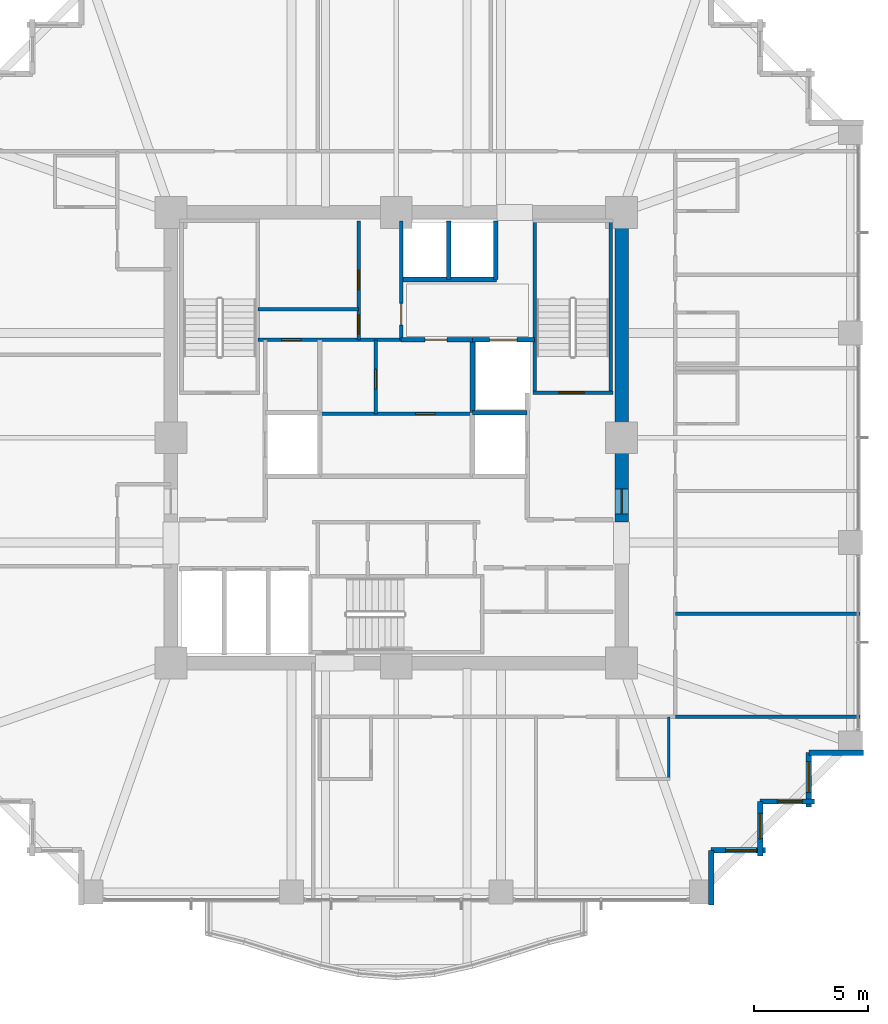
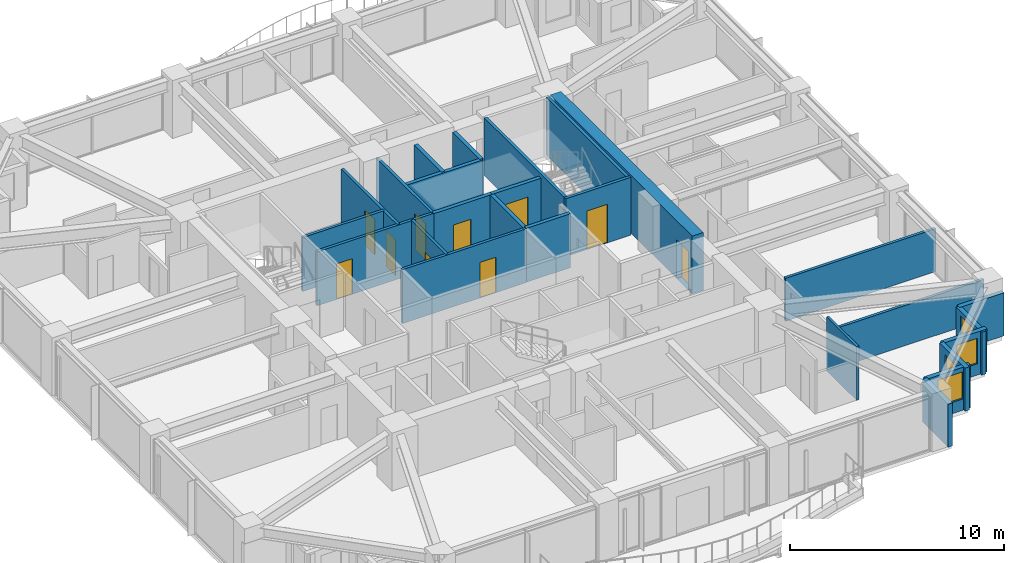
# One storey, part 34 of 38: 26 walls, 10 doors, 4 windows, 14 openings.
"""IFC4 building model written with IfcOpenShell, lengths in metres."""

from ifc_helpers import new_model, si_unit, direction, frame, frame_2d, origin, place, context, subcontext, project, spatial, rectangle, extrude, material, layer, layer_set, type_object, element, fill, save


model = new_model("IFC4")

# Units and contexts
model_context = context("Model", 3, precision=1e-05, world=origin(), true_north=direction((0.0, 1.0)))
body_context = subcontext(model_context, "Body", "Model", "MODEL_VIEW")
ifc_project = project(units=[si_unit("LENGTHUNIT", "METRE"), si_unit("AREAUNIT", "SQUARE_METRE"), si_unit("VOLUMEUNIT", "CUBIC_METRE"), si_unit("PLANEANGLEUNIT", "RADIAN"), si_unit("MASSUNIT", "GRAM", prefix="KILO")], contexts=[model_context])

# Site, building, storey
site_placement = place(None, origin())
site = spatial("IfcSite", under=ifc_project, at=site_placement, CompositionType="ELEMENT")
building_placement = place(site_placement, origin())
building = spatial("IfcBuilding", under=site, at=building_placement, Name="Kolvaren Belvedere", CompositionType="ELEMENT")
storey_placement = place(building_placement, frame((0.0, 0.0, 98.60009765625)))
storey = spatial("IfcBuildingStorey", under=building, at=storey_placement, Name="L28", CompositionType="ELEMENT", Elevation=98.60009765625)

# Wall, opening, door
ifc_material_1 = material(Name="Concrete C60/75", Category="concrete")
ifc_layer_1 = layer(ifc_material_1, 0.60009765625)
ifc_layer_set_1 = layer_set([ifc_layer_1], Name="Concrete C60/75")
wall_type_1 = type_object("IfcWallType", Name="CW-CORE-600", PredefinedType="SHEAR", material=ifc_layer_set_1)
wall_1_placement = place(storey_placement, frame((9.89990234375, -3.699951171875, 0.0), z_axis=(0.0, 0.0, 1.0), x_axis=(0.0, 1.0, 0.0)))
wall_1 = element("IfcWall", 1, at=wall_1_placement, inside=storey, type_object=wall_type_1, Name="L28 East Core Shear Wall 2", PredefinedType="SHEAR", context=body_context, shape_type="SweptSolid", body=[
    extrude(rectangle(XDim=13.300048828125, YDim=0.60009765625, at=frame_2d((6.64990234375, 0.0))), origin(), (0.0, 0.0, 1.0), 3.2998046875),
])
opening_1_placement = place(wall_1_placement, frame((0.35009765625, 0.0, 0.0)))
opening_1 = element("IfcOpeningElement", 2, at=opening_1_placement, cuts=wall_1, Name="Opening D-FD90", PredefinedType="OPENING", context=body_context, shape_type="SweptSolid", body=[
    extrude(rectangle(XDim=1.10009765625, YDim=2.199951171875, at=frame_2d((0.550048828125, 1.10009765625))), frame((0.0, 0.31005859375, 0.0), z_axis=(0.0, -1.0, 0.0), x_axis=(1.0, 0.0, 0.0)), (0.0, 0.0, 1.0), 0.6201171875),
])
ifc_material_2 = material(Name="Painted hollow stainless steel", Category="steel")
door_type_1 = type_object("IfcDoorType", Name="DR-FD90-1100", OperationType="NOTDEFINED", PredefinedType="DOOR", material=ifc_material_2)
door_1_placement = place(opening_1_placement, origin())
door_1 = element("IfcDoor", 3, at=door_1_placement, inside=storey, type_object=door_type_1, Name="L28 East Firefighting Lobby Fire Door", OperationType="SINGLE_SWING_RIGHT", OverallHeight=2.199951171875, OverallWidth=1.10009765625, PredefinedType="DOOR", context=body_context, shape_type="SweptSolid", body=[
    extrude(rectangle(XDim=1.10009765625, YDim=2.199951171875, at=frame_2d((0.550048828125, 1.10009765625))), frame((0.0, 0.02490234375, 0.0), z_axis=(0.0, -1.0, 0.0), x_axis=(1.0, 0.0, 0.0)), (0.0, 0.0, 1.0), 0.050048828125),
])
fill(opening_1, door_1)

ifc_material_3 = material(Name="Concrete C50/60", Category="concrete")
ifc_layer_2 = layer(ifc_material_3, 0.159912109375)
ifc_layer_set_2 = layer_set([ifc_layer_2], Name="Concrete C50/60")
wall_type_2 = type_object("IfcWallType", Name="CW-STAIR-160", PredefinedType="SHEAR", material=ifc_layer_set_2)
wall_2_placement = place(storey_placement, frame((6.0, 1.969970703125, 0.0), z_axis=(0.0, 0.0, 1.0), x_axis=(1.0, 0.0, 0.0)))
wall_2 = element("IfcWall", 4, at=wall_2_placement, inside=storey, type_object=wall_type_2, Name="L28 Stair ST-2 South Shear Wall", PredefinedType="SHEAR", context=body_context, shape_type="SweptSolid", body=[
    extrude(rectangle(XDim=3.52001953125, YDim=0.159912109375, at=frame_2d((1.760009765625, 0.0))), origin(), (0.0, 0.0, 1.0), 3.2998046875),
])
opening_2_placement = place(wall_2_placement, frame((1.14990234375, 0.0, 0.0)))
opening_2 = element("IfcOpeningElement", 5, at=opening_2_placement, cuts=wall_2, Name="Opening D-FD90", PredefinedType="OPENING", context=body_context, shape_type="SweptSolid", body=[
    extrude(rectangle(XDim=1.10009765625, YDim=2.199951171875, at=frame_2d((0.550048828125, 1.10009765625))), frame((0.0, 0.08984375, 0.0), z_axis=(0.0, -1.0, 0.0), x_axis=(1.0, 0.0, 0.0)), (0.0, 0.0, 1.0), 0.179931640625),
])
door_2_placement = place(opening_2_placement, origin())
door_2 = element("IfcDoor", 6, at=door_2_placement, inside=storey, type_object=door_type_1, Name="L28 Stair ST-2 Fire Door", OperationType="SINGLE_SWING_RIGHT", OverallHeight=2.199951171875, OverallWidth=1.10009765625, PredefinedType="DOOR", context=body_context, shape_type="SweptSolid", body=[
    extrude(rectangle(XDim=1.10009765625, YDim=2.199951171875, at=frame_2d((0.550048828125, 1.10009765625))), frame((0.0, 0.02490234375, 0.0), z_axis=(0.0, -1.0, 0.0), x_axis=(1.0, 0.0, 0.0)), (0.0, 0.0, 1.0), 0.050048828125),
])
fill(opening_2, door_2)

# Walls
for number, where, z_axis, x_axis, name in (
    (7, (6.080078125, 1.969970703125, 0.0), (0.0, 0.0, 1.0), (0.0, 1.0, 0.0), "L28 Stair ST-2 West Shear Wall"),
    (8, (9.429931640625, 1.969970703125, 0.0), (0.0, 0.0, 1.0), (0.0, 1.0, 0.0), "L28 Stair ST-2 East Shear Wall"),
):
    element("IfcWall", number, at=place(storey_placement, frame(where, z_axis=z_axis, x_axis=x_axis)), inside=storey, type_object=wall_type_2, Name=name, PredefinedType="SHEAR", context=body_context, shape_type="SweptSolid", body=[
        extrude(rectangle(XDim=7.56005859375, YDim=0.159912109375, at=frame_2d((3.780029296875, 0.0))), origin(), (0.0, 0.0, 1.0), 3.2998046875),
    ])
ifc_material_4 = material(Name="Insulated pale-metal facade wall assembly", Category="aluminium")
ifc_layer_3 = layer(ifc_material_4, 0.239990234375)
ifc_layer_set_3 = layer_set([ifc_layer_3], Name="Insulated pale-metal facade wall assembly")
wall_type_3 = type_object("IfcWallType", Name="WL-EXT-240", PredefinedType="STANDARD", material=ifc_layer_set_3)
wall_3_placement = place(storey_placement, frame((13.830078125, -18.1298828125, 0.0), z_axis=(0.0, 0.0, 1.0), x_axis=(0.0, -1.0, 0.0)))
element("IfcWall", 9, at=wall_3_placement, inside=storey, type_object=wall_type_3, Name="L28 Serrated Corner Facade Wall 2", PredefinedType="STANDARD", context=body_context, shape_type="SweptSolid", body=[
    extrude(rectangle(XDim=2.39013671875, YDim=0.239990234375, at=frame_2d((1.195068359375, 0.0))), origin(), (0.0, 0.0, 1.0), 2.458984375),
])

# Wall, opening, window
wall_4_placement = place(storey_placement, frame((16.219970703125, -18.1298828125, 0.0), z_axis=(0.0, 0.0, 1.0), x_axis=(-1.0, 0.0, 0.0)))
wall_4 = element("IfcWall", 10, at=wall_4_placement, inside=storey, type_object=wall_type_3, Name="L28 Serrated Corner Facade Wall 3", PredefinedType="STANDARD", context=body_context, shape_type="SweptSolid", body=[
    extrude(rectangle(XDim=2.389892578125, YDim=0.239990234375, at=frame_2d((1.19482421875, 0.0))), origin(), (0.0, 0.0, 1.0), 2.458984375),
])
opening_3_placement = place(wall_4_placement, frame((0.39990234375, 0.0, 0.64990234375)))
opening_3 = element("IfcOpeningElement", 11, at=opening_3_placement, cuts=wall_4, Name="Opening W-1350", PredefinedType="OPENING", context=body_context, shape_type="SweptSolid", body=[
    extrude(rectangle(XDim=1.35009765625, YDim=1.550048828125, at=frame_2d((0.675048828125, 0.77490234375))), frame((0.0, 0.1298828125, 0.0), z_axis=(0.0, -1.0, 0.0), x_axis=(1.0, 0.0, 0.0)), (0.0, 0.0, 1.0), 0.260009765625),
])
ifc_material_5 = material(Name="Low-iron triple insulated glass", Category="glass")
window_type_1 = type_object("IfcWindowType", Name="WN-CORN-1350", PartitioningType="SINGLE_PANEL", PredefinedType="WINDOW", material=ifc_material_5)
window_1_placement = place(opening_3_placement, origin())
window_1 = element("IfcWindow", 12, at=window_1_placement, inside=storey, type_object=window_type_1, Name="L28 Serrated Corner Vision Window 3", OverallHeight=1.550048828125, OverallWidth=1.35009765625, PartitioningType="SINGLE_PANEL", PredefinedType="WINDOW", context=body_context, shape_type="SweptSolid", body=[
    extrude(rectangle(XDim=1.35009765625, YDim=1.550048828125, at=frame_2d((0.675048828125, 0.77490234375))), frame((0.0, 0.030029296875, 0.0), z_axis=(0.0, -1.0, 0.0), x_axis=(1.0, 0.0, 0.0)), (0.0, 0.0, 1.0), 0.06005859375),
])
fill(opening_3, window_1)

wall_5_placement = place(storey_placement, frame((15.97998046875, -15.97998046875, 0.0), z_axis=(0.0, 0.0, 1.0), x_axis=(0.0, -1.0, 0.0)))
wall_5 = element("IfcWall", 13, at=wall_5_placement, inside=storey, type_object=wall_type_3, Name="L28 Serrated Corner Facade Wall 4", PredefinedType="STANDARD", context=body_context, shape_type="SweptSolid", body=[
    extrude(rectangle(XDim=2.39013671875, YDim=0.239990234375, at=frame_2d((1.195068359375, 0.0))), origin(), (0.0, 0.0, 1.0), 2.458984375),
])
opening_4_placement = place(wall_5_placement, frame((0.52490234375, 0.0, 0.64990234375)))
opening_4 = element("IfcOpeningElement", 14, at=opening_4_placement, cuts=wall_5, Name="Opening W-1100", PredefinedType="OPENING", context=body_context, shape_type="SweptSolid", body=[
    extrude(rectangle(XDim=1.10009765625, YDim=1.449951171875, at=frame_2d((0.550048828125, 0.72509765625))), frame((0.0, 0.1298828125, 0.0), z_axis=(0.0, -1.0, 0.0), x_axis=(1.0, 0.0, 0.0)), (0.0, 0.0, 1.0), 0.260009765625),
])
ifc_material_6 = material(Name="Low-iron triple insulated glass", Category="glass")
window_type_2 = type_object("IfcWindowType", Name="WN-CORN-1100", PartitioningType="SINGLE_PANEL", PredefinedType="WINDOW", material=ifc_material_6)
window_2_placement = place(opening_4_placement, origin())
window_2 = element("IfcWindow", 15, at=window_2_placement, inside=storey, type_object=window_type_2, Name="L28 Serrated Corner Vision Window 4", OverallHeight=1.449951171875, OverallWidth=1.10009765625, PartitioningType="SINGLE_PANEL", PredefinedType="WINDOW", context=body_context, shape_type="SweptSolid", body=[
    extrude(rectangle(XDim=1.10009765625, YDim=1.449951171875, at=frame_2d((0.550048828125, 0.72509765625))), frame((0.0, 0.030029296875, 0.0), z_axis=(0.0, -1.0, 0.0), x_axis=(1.0, 0.0, 0.0)), (0.0, 0.0, 1.0), 0.06005859375),
])
fill(opening_4, window_2)

wall_6_placement = place(storey_placement, frame((18.3701171875, -15.97998046875, 0.0), z_axis=(0.0, 0.0, 1.0), x_axis=(-1.0, 0.0, 0.0)))
wall_6 = element("IfcWall", 16, at=wall_6_placement, inside=storey, type_object=wall_type_3, Name="L28 Serrated Corner Facade Wall 5", PredefinedType="STANDARD", context=body_context, shape_type="SweptSolid", body=[
    extrude(rectangle(XDim=2.39013671875, YDim=0.239990234375, at=frame_2d((1.195068359375, 0.0))), origin(), (0.0, 0.0, 1.0), 2.458984375),
])
opening_5_placement = place(wall_6_placement, frame((0.52490234375, 0.0, 0.64990234375)))
opening_5 = element("IfcOpeningElement", 17, at=opening_5_placement, cuts=wall_6, Name="Opening W-1100", PredefinedType="OPENING", context=body_context, shape_type="SweptSolid", body=[
    extrude(rectangle(XDim=1.10009765625, YDim=1.449951171875, at=frame_2d((0.550048828125, 0.72509765625))), frame((0.0, 0.1298828125, 0.0), z_axis=(0.0, -1.0, 0.0), x_axis=(1.0, 0.0, 0.0)), (0.0, 0.0, 1.0), 0.260009765625),
])
window_3_placement = place(opening_5_placement, origin())
window_3 = element("IfcWindow", 18, at=window_3_placement, inside=storey, type_object=window_type_2, Name="L28 Serrated Corner Vision Window 5", OverallHeight=1.449951171875, OverallWidth=1.10009765625, PartitioningType="SINGLE_PANEL", PredefinedType="WINDOW", context=body_context, shape_type="SweptSolid", body=[
    extrude(rectangle(XDim=1.10009765625, YDim=1.449951171875, at=frame_2d((0.550048828125, 0.72509765625))), frame((0.0, 0.030029296875, 0.0), z_axis=(0.0, -1.0, 0.0), x_axis=(1.0, 0.0, 0.0)), (0.0, 0.0, 1.0), 0.06005859375),
])
fill(opening_5, window_3)

wall_7_placement = place(storey_placement, frame((18.1298828125, -13.830078125, 0.0), z_axis=(0.0, 0.0, 1.0), x_axis=(0.0, -1.0, 0.0)))
wall_7 = element("IfcWall", 19, at=wall_7_placement, inside=storey, type_object=wall_type_3, Name="L28 Serrated Corner Facade Wall 6", PredefinedType="STANDARD", context=body_context, shape_type="SweptSolid", body=[
    extrude(rectangle(XDim=2.389892578125, YDim=0.239990234375, at=frame_2d((1.19482421875, 0.0))), origin(), (0.0, 0.0, 1.0), 2.458984375),
])
opening_6_placement = place(wall_7_placement, frame((0.39990234375, 0.0, 0.64990234375)))
opening_6 = element("IfcOpeningElement", 20, at=opening_6_placement, cuts=wall_7, Name="Opening W-1350", PredefinedType="OPENING", context=body_context, shape_type="SweptSolid", body=[
    extrude(rectangle(XDim=1.35009765625, YDim=1.550048828125, at=frame_2d((0.675048828125, 0.77490234375))), frame((0.0, 0.1298828125, 0.0), z_axis=(0.0, -1.0, 0.0), x_axis=(1.0, 0.0, 0.0)), (0.0, 0.0, 1.0), 0.260009765625),
])
window_4_placement = place(opening_6_placement, origin())
window_4 = element("IfcWindow", 21, at=window_4_placement, inside=storey, type_object=window_type_1, Name="L28 Serrated Corner Vision Window 6", OverallHeight=1.550048828125, OverallWidth=1.35009765625, PartitioningType="SINGLE_PANEL", PredefinedType="WINDOW", context=body_context, shape_type="SweptSolid", body=[
    extrude(rectangle(XDim=1.35009765625, YDim=1.550048828125, at=frame_2d((0.675048828125, 0.77490234375))), frame((0.0, 0.030029296875, 0.0), z_axis=(0.0, -1.0, 0.0), x_axis=(1.0, 0.0, 0.0)), (0.0, 0.0, 1.0), 0.06005859375),
])
fill(opening_6, window_4)

# Wall
wall_8_placement = place(storey_placement, frame((20.52001953125, -13.830078125, 0.0), z_axis=(0.0, 0.0, 1.0), x_axis=(-1.0, 0.0, 0.0)))
element("IfcWall", 22, at=wall_8_placement, inside=storey, type_object=wall_type_3, Name="L28 Serrated Corner Facade Wall 7", PredefinedType="STANDARD", context=body_context, shape_type="SweptSolid", body=[
    extrude(rectangle(XDim=2.39013671875, YDim=0.239990234375, at=frame_2d((1.195068359375, 0.0))), origin(), (0.0, 0.0, 1.0), 2.458984375),
])

# Wall, opening, door
ifc_material_7 = material(Name="Gypsum acoustic partition assembly", Category="gypsum")
ifc_layer_4 = layer(ifc_material_7, 0.14990234375)
ifc_layer_set_4 = layer_set([ifc_layer_4], Name="Gypsum acoustic partition assembly")
wall_type_4 = type_object("IfcWallType", Name="WL-PART-150", PredefinedType="PARTITIONING", material=ifc_layer_set_4)
wall_9_placement = place(storey_placement, frame((-6.080078125, 4.300048828125, 0.0), z_axis=(0.0, 0.0, 1.0), x_axis=(1.0, 0.0, 0.0)))
wall_9 = element("IfcWall", 23, at=wall_9_placement, inside=storey, type_object=wall_type_4, Name="L28 Reclaimed Salon South Wall", PredefinedType="PARTITIONING", context=body_context, shape_type="SweptSolid", body=[
    extrude(rectangle(XDim=6.300048828125, YDim=0.14990234375, at=frame_2d((3.14990234375, 0.0))), origin(), (0.0, 0.0, 1.0), 3.079833984375),
])
opening_7_placement = place(wall_9_placement, frame((1.050048828125, 0.0, 0.0)))
opening_7 = element("IfcOpeningElement", 24, at=opening_7_placement, cuts=wall_9, Name="Opening D-INT85", PredefinedType="OPENING", context=body_context, shape_type="SweptSolid", body=[
    extrude(rectangle(XDim=0.85009765625, YDim=2.030029296875, at=frame_2d((0.425048828125, 1.01513671875))), frame((0.0, 0.0849609375, 0.0), z_axis=(0.0, -1.0, 0.0), x_axis=(1.0, 0.0, 0.0)), (0.0, 0.0, 1.0), 0.169921875),
])
ifc_material_8 = material(Name="Stained Pacific white oak", Category="timber")
door_type_2 = type_object("IfcDoorType", Name="DR-INT-850", OperationType="NOTDEFINED", PredefinedType="DOOR", material=ifc_material_8)
door_3_placement = place(opening_7_placement, origin())
door_3 = element("IfcDoor", 25, at=door_3_placement, inside=storey, type_object=door_type_2, Name="L28 NW Core Store Door", OperationType="SINGLE_SWING_RIGHT", OverallHeight=2.030029296875, OverallWidth=0.85009765625, PredefinedType="DOOR", context=body_context, shape_type="SweptSolid", body=[
    extrude(rectangle(XDim=0.85009765625, YDim=2.030029296875, at=frame_2d((0.425048828125, 1.01513671875))), frame((0.0, 0.02490234375, 0.0), z_axis=(0.0, -1.0, 0.0), x_axis=(1.0, 0.0, 0.0)), (0.0, 0.0, 1.0), 0.050048828125),
])
fill(opening_7, door_3)

wall_10_placement = place(storey_placement, frame((0.219970703125, 4.300048828125, 0.0), z_axis=(0.0, 0.0, 1.0), x_axis=(0.0, 1.0, 0.0)))
wall_10 = element("IfcWall", 26, at=wall_10_placement, inside=storey, type_object=wall_type_4, Name="L28 Reclaimed Salon East Wall", PredefinedType="PARTITIONING", context=body_context, shape_type="SweptSolid", body=[
    extrude(rectangle(XDim=5.219970703125, YDim=0.14990234375, at=frame_2d((2.60986328125, 0.0))), origin(), (0.0, 0.0, 1.0), 3.079833984375),
])
opening_8_placement = place(wall_10_placement, frame((0.64990234375, 0.0, 0.0)))
opening_8 = element("IfcOpeningElement", 27, at=opening_8_placement, cuts=wall_10, Name="Opening D-INT95", PredefinedType="OPENING", context=body_context, shape_type="SweptSolid", body=[
    extrude(rectangle(XDim=0.949951171875, YDim=2.06005859375, at=frame_2d((0.47509765625, 1.030029296875))), frame((0.0, 0.0849609375, 0.0), z_axis=(0.0, -1.0, 0.0), x_axis=(1.0, 0.0, 0.0)), (0.0, 0.0, 1.0), 0.169921875),
])
ifc_material_9 = material(Name="Stained Pacific white oak", Category="timber")
door_type_3 = type_object("IfcDoorType", Name="DR-INT-950", OperationType="NOTDEFINED", PredefinedType="DOOR", material=ifc_material_9)
door_4_placement = place(opening_8_placement, origin())
door_4 = element("IfcDoor", 28, at=door_4_placement, inside=storey, type_object=door_type_3, Name="L28 Wellness Tearoom Door", OperationType="SINGLE_SWING_LEFT", OverallHeight=2.06005859375, OverallWidth=0.949951171875, PredefinedType="DOOR", context=body_context, shape_type="SweptSolid", body=[
    extrude(rectangle(XDim=0.949951171875, YDim=2.06005859375, at=frame_2d((0.47509765625, 1.030029296875))), frame((0.0, 0.02490234375, 0.0), z_axis=(0.0, -1.0, 0.0), x_axis=(1.0, 0.0, 0.0)), (0.0, 0.0, 1.0), 0.050048828125),
])
fill(opening_8, door_4)

# Wall, openings, doors
wall_11_placement = place(storey_placement, frame((-1.64990234375, 4.300048828125, 0.0), z_axis=(0.0, 0.0, 1.0), x_axis=(0.0, 1.0, 0.0)))
wall_11 = element("IfcWall", 29, at=wall_11_placement, inside=storey, type_object=wall_type_4, Name="L28 Reclaimed Tearoom V-Divider", PredefinedType="PARTITIONING", context=body_context, shape_type="SweptSolid", body=[
    extrude(rectangle(XDim=5.219970703125, YDim=0.14990234375, at=frame_2d((2.60986328125, 0.0))), origin(), (0.0, 0.0, 1.0), 3.079833984375),
])
opening_9_placement = place(wall_11_placement, frame((2.199951171875, 0.0, 0.0)))
opening_9 = element("IfcOpeningElement", 30, at=opening_9_placement, cuts=wall_11, Name="Opening D-INT85", PredefinedType="OPENING", context=body_context, shape_type="SweptSolid", body=[
    extrude(rectangle(XDim=0.85009765625, YDim=2.030029296875, at=frame_2d((0.425048828125, 1.01513671875))), frame((0.0, 0.0849609375, 0.0), z_axis=(0.0, -1.0, 0.0), x_axis=(1.0, 0.0, 0.0)), (0.0, 0.0, 1.0), 0.169921875),
])
opening_10_placement = place(wall_11_placement, frame((0.25, 0.0, 0.0)))
opening_10 = element("IfcOpeningElement", 31, at=opening_10_placement, cuts=wall_11, Name="Opening D-INT85", PredefinedType="OPENING", context=body_context, shape_type="SweptSolid", body=[
    extrude(rectangle(XDim=0.85009765625, YDim=2.030029296875, at=frame_2d((0.425048828125, 1.01513671875))), frame((0.0, 0.0849609375, 0.0), z_axis=(0.0, -1.0, 0.0), x_axis=(1.0, 0.0, 0.0)), (0.0, 0.0, 1.0), 0.169921875),
])
door_5_placement = place(opening_9_placement, origin())
door_5 = element("IfcDoor", 32, at=door_5_placement, inside=storey, type_object=door_type_2, Name="L28 Meditation Room Door", OperationType="SINGLE_SWING_RIGHT", OverallHeight=2.030029296875, OverallWidth=0.85009765625, PredefinedType="DOOR", context=body_context, shape_type="SweptSolid", body=[
    extrude(rectangle(XDim=0.85009765625, YDim=2.030029296875, at=frame_2d((0.425048828125, 1.01513671875))), frame((0.0, 0.02490234375, 0.0), z_axis=(0.0, -1.0, 0.0), x_axis=(1.0, 0.0, 0.0)), (0.0, 0.0, 1.0), 0.050048828125),
])
fill(opening_9, door_5)
door_6_placement = place(opening_10_placement, origin())
door_6 = element("IfcDoor", 33, at=door_6_placement, inside=storey, type_object=door_type_2, Name="L28 Herbal Closet Door", OperationType="SINGLE_SWING_RIGHT", OverallHeight=2.030029296875, OverallWidth=0.85009765625, PredefinedType="DOOR", context=body_context, shape_type="SweptSolid", body=[
    extrude(rectangle(XDim=0.85009765625, YDim=2.030029296875, at=frame_2d((0.425048828125, 1.01513671875))), frame((0.0, 0.02490234375, 0.0), z_axis=(0.0, -1.0, 0.0), x_axis=(1.0, 0.0, 0.0)), (0.0, 0.0, 1.0), 0.050048828125),
])
fill(opening_10, door_6)

# Wall
wall_12_placement = place(storey_placement, frame((-6.080078125, 5.64990234375, 0.0), z_axis=(0.0, 0.0, 1.0), x_axis=(1.0, 0.0, 0.0)))
element("IfcWall", 34, at=wall_12_placement, inside=storey, type_object=wall_type_4, Name="L28 Reclaimed Tearoom H-Divider", PredefinedType="PARTITIONING", context=body_context, shape_type="SweptSolid", body=[
    extrude(rectangle(XDim=4.43017578125, YDim=0.14990234375, at=frame_2d((2.215087890625, 0.0))), origin(), (0.0, 0.0, 1.0), 3.079833984375),
])

# Wall, opening, door
wall_13_placement = place(storey_placement, frame((-3.35009765625, 1.050048828125, 0.0), z_axis=(0.0, 0.0, 1.0), x_axis=(1.0, 0.0, 0.0)))
wall_13 = element("IfcWall", 35, at=wall_13_placement, inside=storey, type_object=wall_type_4, Name="L28 Central Core H-Divider", PredefinedType="PARTITIONING", context=body_context, shape_type="SweptSolid", body=[
    extrude(rectangle(XDim=6.7001953125, YDim=0.14990234375, at=frame_2d((3.35009765625, 0.0))), origin(), (0.0, 0.0, 1.0), 3.079833984375),
])
opening_11_placement = place(wall_13_placement, frame((4.199951171875, 0.0, 0.0)))
opening_11 = element("IfcOpeningElement", 36, at=opening_11_placement, cuts=wall_13, Name="Opening D-INT85", PredefinedType="OPENING", context=body_context, shape_type="SweptSolid", body=[
    extrude(rectangle(XDim=0.85009765625, YDim=2.030029296875, at=frame_2d((0.425048828125, 1.01513671875))), frame((0.0, 0.0849609375, 0.0), z_axis=(0.0, -1.0, 0.0), x_axis=(1.0, 0.0, 0.0)), (0.0, 0.0, 1.0), 0.169921875),
])
door_7_placement = place(opening_11_placement, origin())
door_7 = element("IfcDoor", 37, at=door_7_placement, inside=storey, type_object=door_type_2, Name="L28 Central Metering Door", OperationType="SINGLE_SWING_LEFT", OverallHeight=2.030029296875, OverallWidth=0.85009765625, PredefinedType="DOOR", context=body_context, shape_type="SweptSolid", body=[
    extrude(rectangle(XDim=0.85009765625, YDim=2.030029296875, at=frame_2d((0.425048828125, 1.01513671875))), frame((0.0, 0.02490234375, 0.0), z_axis=(0.0, -1.0, 0.0), x_axis=(1.0, 0.0, 0.0)), (0.0, 0.0, 1.0), 0.050048828125),
])
fill(opening_11, door_7)

wall_14_placement = place(storey_placement, frame((-0.89990234375, 1.050048828125, 0.0), z_axis=(0.0, 0.0, 1.0), x_axis=(0.0, 1.0, 0.0)))
wall_14 = element("IfcWall", 38, at=wall_14_placement, inside=storey, type_object=wall_type_4, Name="L28 Central Core V-Divider", PredefinedType="PARTITIONING", context=body_context, shape_type="SweptSolid", body=[
    extrude(rectangle(XDim=3.25, YDim=0.14990234375, at=frame_2d((1.625, 0.0))), origin(), (0.0, 0.0, 1.0), 3.079833984375),
])
opening_12_placement = place(wall_14_placement, frame((1.10009765625, 0.0, 0.0)))
opening_12 = element("IfcOpeningElement", 39, at=opening_12_placement, cuts=wall_14, Name="Opening D-INT85", PredefinedType="OPENING", context=body_context, shape_type="SweptSolid", body=[
    extrude(rectangle(XDim=0.85009765625, YDim=2.030029296875, at=frame_2d((0.425048828125, 1.01513671875))), frame((0.0, 0.0849609375, 0.0), z_axis=(0.0, -1.0, 0.0), x_axis=(1.0, 0.0, 0.0)), (0.0, 0.0, 1.0), 0.169921875),
])
door_8_placement = place(opening_12_placement, origin())
door_8 = element("IfcDoor", 40, at=door_8_placement, inside=storey, type_object=door_type_2, Name="L28 Central Telecom Door", OperationType="SINGLE_SWING_RIGHT", OverallHeight=2.030029296875, OverallWidth=0.85009765625, PredefinedType="DOOR", context=body_context, shape_type="SweptSolid", body=[
    extrude(rectangle(XDim=0.85009765625, YDim=2.030029296875, at=frame_2d((0.425048828125, 1.01513671875))), frame((0.0, 0.02490234375, 0.0), z_axis=(0.0, -1.0, 0.0), x_axis=(1.0, 0.0, 0.0)), (0.0, 0.0, 1.0), 0.050048828125),
])
fill(opening_12, door_8)

# Walls
wall_15_placement = place(storey_placement, frame((12.260009765625, -12.260009765625, 0.0), z_axis=(0.0, 0.0, 1.0), x_axis=(1.0, 0.0, 0.0)))
element("IfcWall", 41, at=wall_15_placement, inside=storey, type_object=wall_type_4, Name="L28 Wing Divider PW-L28-QSE", PredefinedType="PARTITIONING", context=body_context, shape_type="SweptSolid", body=[
    extrude(rectangle(XDim=8.119873046875, YDim=0.14990234375, at=frame_2d((4.06005859375, 0.0))), origin(), (0.0, 0.0, 1.0), 2.2919921875),
])
wall_16_placement = place(storey_placement, frame((12.260009765625, -7.739990234375, 0.0), z_axis=(0.0, 0.0, 1.0), x_axis=(1.0, 0.0, 0.0)))
element("IfcWall", 42, at=wall_16_placement, inside=storey, type_object=wall_type_4, Name="L28 East Suite Demising Wall 1", PredefinedType="PARTITIONING", context=body_context, shape_type="SweptSolid", body=[
    extrude(rectangle(XDim=8.119873046875, YDim=0.14990234375, at=frame_2d((4.06005859375, 0.0))), origin(), (0.0, 0.0, 1.0), 2.448974609375),
])
ifc_material_10 = material(Name="Concrete C50/60", Category="concrete")
ifc_layer_5 = layer(ifc_material_10, 0.199951171875)
ifc_layer_set_5 = layer_set([ifc_layer_5], Name="Concrete C50/60")
wall_type_5 = type_object("IfcWallType", Name="WL-SHAFT-200", PredefinedType="SOLIDWALL", material=ifc_layer_set_5)
wall_17_placement = place(storey_placement, frame((3.35009765625, 1.10009765625, 0.0), z_axis=(0.0, 0.0, 1.0), x_axis=(1.0, 0.0, 0.0)))
element("IfcWall", 43, at=wall_17_placement, inside=storey, type_object=wall_type_5, Name="L28 FSAE FS2 North Wall", PredefinedType="SOLIDWALL", context=body_context, shape_type="SweptSolid", body=[
    extrude(rectangle(XDim=2.39990234375, YDim=0.199951171875, at=frame_2d((1.199951171875, 0.0))), origin(), (0.0, 0.0, 1.0), 3.079833984375),
])

# Wall, opening, door
wall_18_placement = place(storey_placement, frame((3.35009765625, 4.300048828125, 0.0), z_axis=(0.0, 0.0, 1.0), x_axis=(1.0, 0.0, 0.0)))
wall_18 = element("IfcWall", 44, at=wall_18_placement, inside=storey, type_object=wall_type_5, Name="L28 Service Lift SV1 Front Wall", PredefinedType="SOLIDWALL", context=body_context, shape_type="SweptSolid", body=[
    extrude(rectangle(XDim=2.72998046875, YDim=0.199951171875, at=frame_2d((1.364990234375, 0.0))), origin(), (0.0, 0.0, 1.0), 3.079833984375),
])
opening_13_placement = place(wall_18_placement, frame((0.75, 0.0, 0.0)))
opening_13 = element("IfcOpeningElement", 45, at=opening_13_placement, cuts=wall_18, Name="Opening LD-12", PredefinedType="OPENING", context=body_context, shape_type="SweptSolid", body=[
    extrude(rectangle(XDim=1.199951171875, YDim=2.25, at=frame_2d((0.60009765625, 1.125))), frame((0.0, 0.10986328125, 0.0), z_axis=(0.0, -1.0, 0.0), x_axis=(1.0, 0.0, 0.0)), (0.0, 0.0, 1.0), 0.219970703125),
])
ifc_material_11 = material(Name="Brushed stainless steel", Category="steel")
door_type_4 = type_object("IfcDoorType", Name="DR-LIFT-1200", OperationType="DOUBLE_DOOR_SLIDING", PredefinedType="DOOR", material=ifc_material_11)
door_9_placement = place(opening_13_placement, origin())
door_9 = element("IfcDoor", 46, at=door_9_placement, inside=storey, type_object=door_type_4, Name="L28 Service Lift SV1 Landing Door", OperationType="DOUBLE_DOOR_SLIDING", OverallHeight=2.25, OverallWidth=1.199951171875, PredefinedType="DOOR", context=body_context, shape_type="SweptSolid", body=[
    extrude(rectangle(XDim=1.199951171875, YDim=2.25, at=frame_2d((0.60009765625, 1.125))), frame((0.0, 0.02490234375, 0.0), z_axis=(0.0, -1.0, 0.0), x_axis=(1.0, 0.0, 0.0)), (0.0, 0.0, 1.0), 0.050048828125),
])
fill(opening_13, door_9)

# Walls
wall_19_placement = place(storey_placement, frame((0.219970703125, 6.949951171875, 0.0), z_axis=(0.0, 0.0, 1.0), x_axis=(1.0, 0.0, 0.0)))
element("IfcWall", 47, at=wall_19_placement, inside=storey, type_object=wall_type_5, Name="L28 Express Shuttle Hoistway Wall", PredefinedType="SOLIDWALL", context=body_context, shape_type="SweptSolid", body=[
    extrude(rectangle(XDim=4.179931640625, YDim=0.199951171875, at=frame_2d((2.08984375, 0.0))), origin(), (0.0, 0.0, 1.0), 3.079833984375),
])
for number, where, z_axis, x_axis, name in (
    (48, (4.3798828125, 6.949951171875, 0.0), (0.0, 0.0, 1.0), (0.0, 1.0, 0.0), "L28 Express Shuttle East Wall"),
    (49, (2.31005859375, 6.949951171875, 0.0), (0.0, 0.0, 1.0), (0.0, 1.0, 0.0), "L28 Express Shuttle Divider"),
):
    element("IfcWall", number, at=place(storey_placement, frame(where, z_axis=z_axis, x_axis=x_axis)), inside=storey, type_object=wall_type_5, Name=name, PredefinedType="SOLIDWALL", context=body_context, shape_type="SweptSolid", body=[
        extrude(rectangle(XDim=2.570068359375, YDim=0.199951171875, at=frame_2d((1.28515625, 0.0))), origin(), (0.0, 0.0, 1.0), 3.079833984375),
    ])

# Wall, opening, door
wall_20_placement = place(storey_placement, frame((0.219970703125, 4.300048828125, 0.0), z_axis=(0.0, 0.0, 1.0), x_axis=(1.0, 0.0, 0.0)))
wall_20 = element("IfcWall", 50, at=wall_20_placement, inside=storey, type_object=wall_type_5, Name="L28 Central Core Room North Wall", PredefinedType="SOLIDWALL", context=body_context, shape_type="SweptSolid", body=[
    extrude(rectangle(XDim=3.130126953125, YDim=0.199951171875, at=frame_2d((1.56494140625, 0.0))), origin(), (0.0, 0.0, 1.0), 3.079833984375),
])
opening_14_placement = place(wall_20_placement, frame((1.050048828125, 0.0, 0.0)))
opening_14 = element("IfcOpeningElement", 51, at=opening_14_placement, cuts=wall_20, Name="Opening D-FD60", PredefinedType="OPENING", context=body_context, shape_type="SweptSolid", body=[
    extrude(rectangle(XDim=0.949951171875, YDim=2.06005859375, at=frame_2d((0.47509765625, 1.030029296875))), frame((0.0, 0.10986328125, 0.0), z_axis=(0.0, -1.0, 0.0), x_axis=(1.0, 0.0, 0.0)), (0.0, 0.0, 1.0), 0.219970703125),
])
ifc_material_12 = material(Name="Acoustic white-oak fire door leaf", Category="timber")
door_type_5 = type_object("IfcDoorType", Name="DR-FD60-950", OperationType="NOTDEFINED", PredefinedType="DOOR", material=ifc_material_12)
door_10_placement = place(opening_14_placement, origin())
door_10 = element("IfcDoor", 52, at=door_10_placement, inside=storey, type_object=door_type_5, Name="L28 Central Core Controls Door", OperationType="SINGLE_SWING_LEFT", OverallHeight=2.06005859375, OverallWidth=0.949951171875, PredefinedType="DOOR", context=body_context, shape_type="SweptSolid", body=[
    extrude(rectangle(XDim=0.949951171875, YDim=2.06005859375, at=frame_2d((0.47509765625, 1.030029296875))), frame((0.0, 0.02490234375, 0.0), z_axis=(0.0, -1.0, 0.0), x_axis=(1.0, 0.0, 0.0)), (0.0, 0.0, 1.0), 0.050048828125),
])
fill(opening_14, door_10)

# Walls
wall_21_placement = place(storey_placement, frame((3.35009765625, 1.10009765625, 0.0), z_axis=(0.0, 0.0, 1.0), x_axis=(0.0, 1.0, 0.0)))
element("IfcWall", 53, at=wall_21_placement, inside=storey, type_object=wall_type_5, Name="L28 Central Core Room East Wall", PredefinedType="SOLIDWALL", context=body_context, shape_type="SweptSolid", body=[
    extrude(rectangle(XDim=3.199951171875, YDim=0.199951171875, at=frame_2d((1.60009765625, 0.0))), origin(), (0.0, 0.0, 1.0), 3.079833984375),
])
ifc_material_13 = material(Name="Moisture-resistant gypsum partition", Category="gypsum")
ifc_layer_6 = layer(ifc_material_13, 0.125)
ifc_layer_set_6 = layer_set([ifc_layer_6], Name="Moisture-resistant gypsum partition")
wall_type_6 = type_object("IfcWallType", Name="WL-WET-125", PredefinedType="PARTITIONING", material=ifc_layer_set_6)
wall_22_placement = place(storey_placement, frame((11.97412109375, -15.06494140625, 0.0), z_axis=(0.0, 0.0, 1.0), x_axis=(0.0, 1.0, 0.0)))
element("IfcWall", 54, at=wall_22_placement, inside=storey, type_object=wall_type_6, Name="L28 Bathroom Partition PW-L28-BTH-13-W", PredefinedType="PARTITIONING", context=body_context, shape_type="SweptSolid", body=[
    extrude(rectangle(XDim=2.7900390625, YDim=0.125, at=frame_2d((1.39501953125, 0.0))), origin(), (0.0, 0.0, 1.0), 3.079833984375),
])

save(model, "model.ifc")
